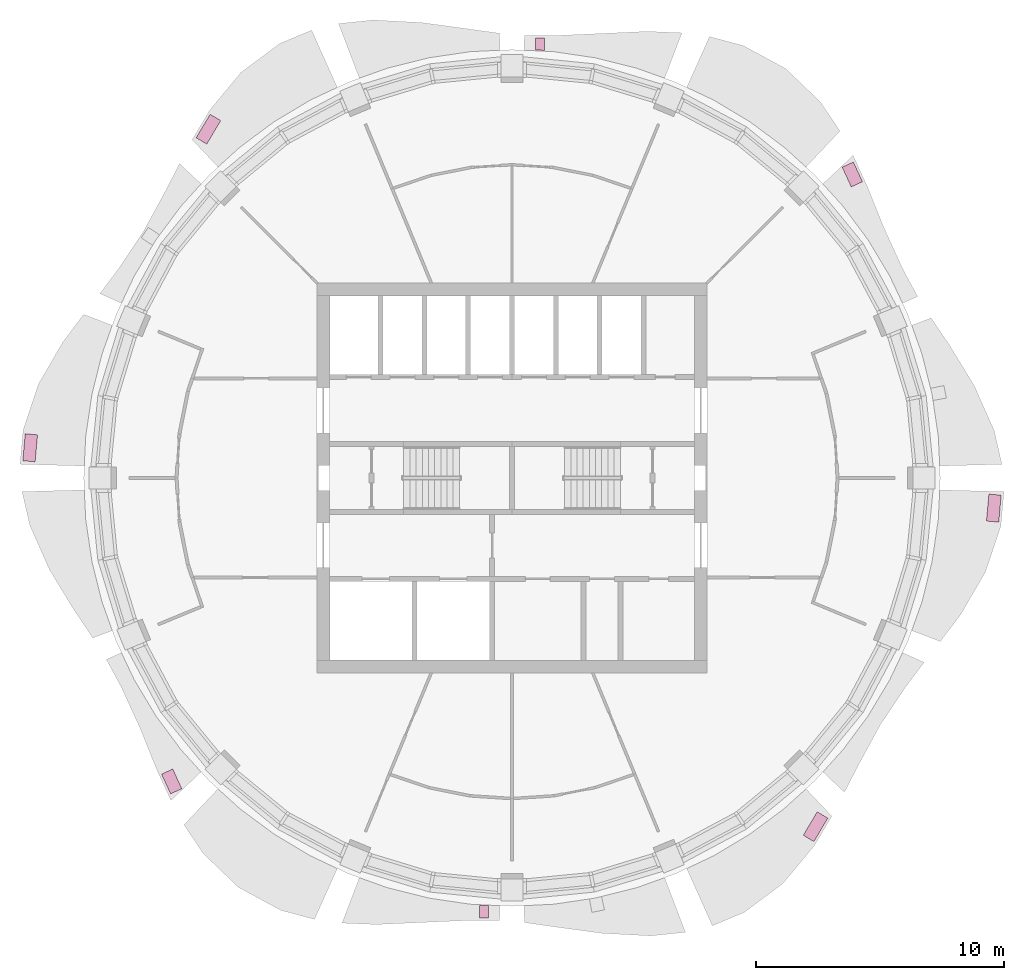
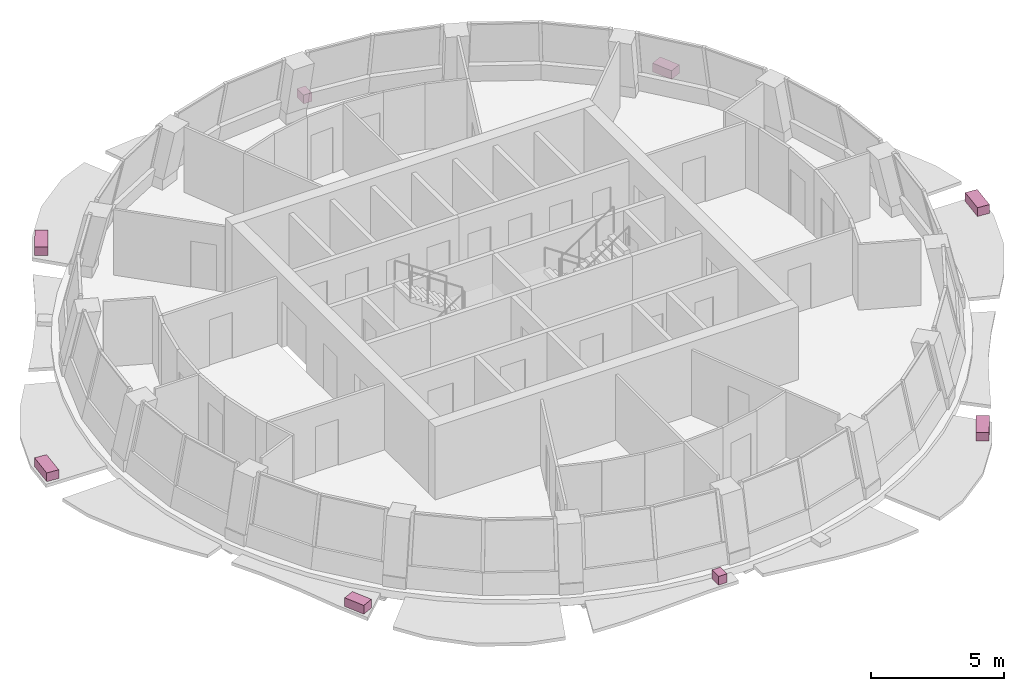
# One storey, part 11 of 11: 8 furniture elements.
"""IFC4 building model written with IfcOpenShell, lengths in metres."""

import ifcopenshell
import ifcopenshell.guid

model = None  # the IFC model being written
_history = None  # IfcOwnerHistory: only IFC2X3 demands one
_inside = {}  # id of a spatial element -> (the spatial element, [elements in it])
_under = {}  # id of a project, library or spatial element -> (it, [spatial elements below it])
_declared = {}  # id of a project -> (the project, [libraries it declares])
_typed = {}  # id of a type object -> (the type object, [elements of that type])
_made_of = {}  # id of a material, layer set ... -> (it, [elements and type objects made of it])


def new_model(schema):
    """Start an empty IFC model of exactly this schema.

    Asked for "IFC4X3", IfcOpenShell would pick the latest addendum, in which some entities
    have other attributes; the version numbers below select the first issue.
    IFC2X3 requires an IfcOwnerHistory on every rooted entity: one is made here for all.
    """
    global model, _history
    if schema == "IFC4X3":
        model = ifcopenshell.file(schema_version=(4, 3, 0, 0))
    else:
        model = ifcopenshell.file(schema=schema)
    _inside.clear()
    _under.clear()
    _declared.clear()
    _typed.clear()
    _made_of.clear()
    _history = None
    if model.schema == "IFC2X3":
        org = make("IfcOrganization", Name="unknown")
        user = make(
            "IfcPersonAndOrganization",
            ThePerson=make("IfcPerson", FamilyName="unknown"),
            TheOrganization=org,
        )
        app = make(
            "IfcApplication",
            ApplicationDeveloper=org,
            Version="unknown",
            ApplicationFullName="unknown",
            ApplicationIdentifier="unknown",
        )
        _history = make(
            "IfcOwnerHistory",
            OwningUser=user,
            OwningApplication=app,
            ChangeAction="ADDED",
            CreationDate=0,
        )
    return model


def make(cls, **values):
    """One entity of the class cls with the attributes given. An attribute that is None is left unset."""
    return model.create_entity(
        cls, **{name: value for name, value in values.items() if value is not None}
    )


def rooted(cls, **values):
    """An entity with a GlobalId (a new one), such as an element, a storey or a relation."""
    return make(cls, GlobalId=ifcopenshell.guid.new(), OwnerHistory=_history, **values)


def si_unit(unit_type, name, prefix=None):
    """IfcSIUnit, for example si_unit("LENGTHUNIT", "METRE", prefix="MILLI")."""
    return make("IfcSIUnit", UnitType=unit_type, Prefix=prefix, Name=name)


def assignment(units):
    """IfcUnitAssignment: the units of a project."""
    return None if units is None else make("IfcUnitAssignment", Units=units)


def point(xyz):
    """IfcCartesianPoint."""
    return None if xyz is None else make("IfcCartesianPoint", Coordinates=xyz)


def direction(xyz):
    """IfcDirection."""
    return None if xyz is None else make("IfcDirection", DirectionRatios=xyz)


def frame(location, z_axis=None, x_axis=None):
    """IfcAxis2Placement3D, a coordinate frame: its origin and axes. An axis left out is left unset."""
    return make(
        "IfcAxis2Placement3D",
        Location=point(location),
        Axis=direction(z_axis),
        RefDirection=direction(x_axis),
    )


def frame_2d(location, x_axis=None):
    """IfcAxis2Placement2D, a coordinate frame in the plane: its origin and x axis."""
    return make(
        "IfcAxis2Placement2D", Location=point(location), RefDirection=direction(x_axis)
    )


def origin():
    """The frame at (0, 0, 0) with its axes left unset."""
    return frame((0.0, 0.0, 0.0))


def origin_2d():
    """The frame at (0, 0) in the plane with its x axis left unset."""
    return frame_2d((0.0, 0.0))


def place(relative_to, where):
    """IfcLocalPlacement: puts the frame where relative to a parent placement (None: the world)."""
    return make(
        "IfcLocalPlacement", PlacementRelTo=relative_to, RelativePlacement=where
    )


def context(
    kind, dimensions, precision=None, world=None, true_north=None, identifier=None
):
    """IfcGeometricRepresentationContext, for example the 3D "Model" context."""
    return make(
        "IfcGeometricRepresentationContext",
        ContextIdentifier=identifier,
        ContextType=kind,
        CoordinateSpaceDimension=dimensions,
        Precision=precision,
        WorldCoordinateSystem=world,
        TrueNorth=true_north,
    )


def subcontext(parent, identifier, kind, view, scale=None):
    """IfcGeometricRepresentationSubContext, for example "Body" below "Model"."""
    return make(
        "IfcGeometricRepresentationSubContext",
        ContextIdentifier=identifier,
        ContextType=kind,
        ParentContext=parent,
        TargetScale=scale,
        TargetView=view,
    )


def project(units=None, contexts=None):
    """IfcProject with its units and contexts."""
    return rooted(
        "IfcProject",
        Name="project",
        RepresentationContexts=contexts,
        UnitsInContext=assignment(units),
    )


def spatial(cls, under=None, at=None, **own):
    """A site, building, storey or space (cls), placed at a placement, below another one or the project."""
    s = rooted(cls, ObjectPlacement=at, **own)
    if under is not None:
        _under.setdefault(under.id(), (under, []))[1].append(s)
    return s


def profile(cls, at=None, kind="AREA", **sizes):
    """A parametric profile (cls). Its sizes go by their IFC names, for example OverallWidth=200.0."""
    return make(cls, ProfileType=kind, Position=at, **sizes)


def rectangle(**sizes):
    """IfcRectangleProfileDef."""
    return profile("IfcRectangleProfileDef", **sizes)


def extrude(swept, where, along, depth):
    """IfcExtrudedAreaSolid: the profile swept, set in the frame where, extruded along a direction by depth."""
    return make(
        "IfcExtrudedAreaSolid",
        SweptArea=swept,
        Position=where,
        ExtrudedDirection=direction(along),
        Depth=depth,
    )


def shape(context_of_items, identifier, shape_type, items):
    """IfcShapeRepresentation: the items that make up one representation, for example the "Body"."""
    return make(
        "IfcShapeRepresentation",
        ContextOfItems=context_of_items,
        RepresentationIdentifier=identifier,
        RepresentationType=shape_type,
        Items=items,
    )


def material(Name=None, Category=None):
    """IfcMaterial."""
    return make("IfcMaterial", Name=Name, Category=Category)


def made_of(thing, what):
    """Note that an element or type object is made of a material, layer set ...; save() writes the relation."""
    if what is not None:
        _made_of.setdefault(what.id(), (what, []))[1].append(thing)
    return thing


def type_object(cls, material=None, **own):
    """A type object (cls), such as IfcWallType, which elements share."""
    return made_of(rooted(cls, **own), material)


def element(
    cls,
    number,
    at=None,
    inside=None,
    cuts=None,
    type_object=None,
    material=None,
    context=None,
    identifier="Body",
    shape_type=None,
    held_by="IfcProductDefinitionShape",
    body=None,
    shapes=None,
    **own,
):
    """One element of the class cls, such as IfcWall. Its Tag is "e" and its number.

    at: its placement. inside: the storey or other place that contains it. cuts: it is an
    opening in that element (IfcRelVoidsElement). A single representation is given by context,
    identifier, shape_type and body (its items); several are given by shapes. held_by: the class
    of the entity that holds the representations. save() writes the other relations.
    """
    e = rooted(cls, Tag="e%d" % number, ObjectPlacement=at, **own)
    if body is not None:
        shapes = [shape(context, identifier, shape_type, body)]
    if shapes is not None:
        e.Representation = make(held_by, Representations=shapes)
    if inside is not None:
        _inside.setdefault(inside.id(), (inside, []))[1].append(e)
    if cuts is not None:
        rooted(
            "IfcRelVoidsElement", RelatingBuildingElement=cuts, RelatedOpeningElement=e
        )
    if type_object is not None:
        _typed.setdefault(type_object.id(), (type_object, []))[1].append(e)
    return made_of(e, material)


def aggregate(whole, parts):
    """IfcRelAggregates: a whole, such as a stair, and the parts it consists of."""
    return rooted("IfcRelAggregates", RelatingObject=whole, RelatedObjects=parts)


def save(model, path):
    """Write the relations noted so far, then the file.

    IfcRelAggregates (storeys below a building ...), IfcRelContainedInSpatialStructure (elements
    in a storey), IfcRelDefinesByType, IfcRelAssociatesMaterial and IfcRelDeclares: one each for
    every whole, place, type object, material and project.
    """
    for whole, parts in _under.values():
        aggregate(whole, parts)
    for where, things in _inside.values():
        rooted(
            "IfcRelContainedInSpatialStructure",
            RelatedElements=things,
            RelatingStructure=where,
        )
    for kind, things in _typed.values():
        rooted("IfcRelDefinesByType", RelatedObjects=things, RelatingType=kind)
    for what, things in _made_of.values():
        rooted("IfcRelAssociatesMaterial", RelatedObjects=things, RelatingMaterial=what)
    for by, libraries in _declared.values():
        rooted("IfcRelDeclares", RelatingContext=by, RelatedDefinitions=libraries)
    model.write(path)


model = new_model("IFC4")

# Units and contexts
model_context = context("Model", 3, precision=1e-05, world=origin(), true_north=direction((0.0, 1.0)))
body_context = subcontext(model_context, "Body", "Model", "MODEL_VIEW")
ifc_project = project(units=[si_unit("LENGTHUNIT", "METRE"), si_unit("AREAUNIT", "SQUARE_METRE"), si_unit("VOLUMEUNIT", "CUBIC_METRE"), si_unit("PLANEANGLEUNIT", "RADIAN"), si_unit("MASSUNIT", "GRAM", prefix="KILO")], contexts=[model_context])

# Site, building, storey
site_placement = place(None, origin())
site = spatial("IfcSite", under=ifc_project, at=site_placement, CompositionType="ELEMENT")
building_placement = place(site_placement, origin())
building = spatial("IfcBuilding", under=site, at=building_placement, Name="Polderwave Tower", CompositionType="ELEMENT")
storey_placement = place(building_placement, frame((0.0, 0.0, 204.39990234375)))
storey = spatial("IfcBuildingStorey", under=building, at=storey_placement, Name="L55", CompositionType="ELEMENT", Elevation=204.39990234375)

# Furniture
ifc_material = material(Name="Terracotta", Category="masonry")
furniture_type = type_object("IfcFurnitureType", Name="Terracotta planting trough", AssemblyPlace="NOTDEFINED", PredefinedType="USERDEFINED", material=ifc_material)
furniture_1_placement = place(storey_placement, frame((13.74609375, 12.2578125, -0.199951171875), z_axis=(0.0, 0.0, 1.0), x_axis=(-0.416277618425, 0.909237562136, 0.0)))
element("IfcFurniture", 1, at=furniture_1_placement, inside=storey, type_object=furniture_type, Name="Planting trough L55 2", ObjectType="PLANTER", PredefinedType="USERDEFINED", context=body_context, shape_type="SweptSolid", body=[
    extrude(rectangle(XDim=0.877197265625, YDim=0.5, at=origin_2d()), origin(), (0.0, 0.0, 1.0), 0.39990234375),
])
furniture_2_placement = place(storey_placement, frame((1.127197265625, 17.525390625, -0.199951171875), z_axis=(0.0, 0.0, 1.0), x_axis=(-0.999980304696, 0.006276162786, 0.0)))
element("IfcFurniture", 2, at=furniture_2_placement, inside=storey, type_object=furniture_type, Name="Planting trough L55 4", ObjectType="PLANTER", PredefinedType="USERDEFINED", context=body_context, shape_type="SweptSolid", body=[
    extrude(rectangle(XDim=0.361328125, YDim=0.5, at=origin_2d()), origin(), (0.0, 0.0, 1.0), 0.39990234375),
])
furniture_3_placement = place(storey_placement, frame((-12.26025390625, 14.08642578125, -0.199951171875), z_axis=(0.0, 0.0, 1.0), x_axis=(-0.510700485496, -0.859758695282, 0.0)))
element("IfcFurniture", 3, at=furniture_3_placement, inside=storey, type_object=furniture_type, Name="Planting trough L55 6", ObjectType="PLANTER", PredefinedType="USERDEFINED", context=body_context, shape_type="SweptSolid", body=[
    extrude(rectangle(XDim=1.104248046875, YDim=0.5, at=origin_2d()), origin(), (0.0, 0.0, 1.0), 0.39990234375),
])
furniture_4_placement = place(storey_placement, frame((-19.460693359375, 1.21826171875, -0.199951171875), z_axis=(0.0, 0.0, 1.0), x_axis=(-0.089892104945, -0.995951509597, 0.0)))
element("IfcFurniture", 4, at=furniture_4_placement, inside=storey, type_object=furniture_type, Name="Planting trough L55 8", ObjectType="PLANTER", PredefinedType="USERDEFINED", context=body_context, shape_type="SweptSolid", body=[
    extrude(rectangle(XDim=1.095947265625, YDim=0.5, at=origin_2d()), origin(), (0.0, 0.0, 1.0), 0.39990234375),
])
furniture_5_placement = place(storey_placement, frame((-13.74609375, -12.2578125, -0.199951171875), z_axis=(0.0, 0.0, 1.0), x_axis=(0.416277618425, -0.909237562136, 0.0)))
element("IfcFurniture", 5, at=furniture_5_placement, inside=storey, type_object=furniture_type, Name="Planting trough L55 10", ObjectType="PLANTER", PredefinedType="USERDEFINED", context=body_context, shape_type="SweptSolid", body=[
    extrude(rectangle(XDim=0.877197265625, YDim=0.5, at=origin_2d()), origin(), (0.0, 0.0, 1.0), 0.39990234375),
])
furniture_6_placement = place(storey_placement, frame((-1.127197265625, -17.525390625, -0.199951171875), z_axis=(0.0, 0.0, 1.0), x_axis=(0.999980304696, -0.006276162786, 0.0)))
element("IfcFurniture", 6, at=furniture_6_placement, inside=storey, type_object=furniture_type, Name="Planting trough L55 12", ObjectType="PLANTER", PredefinedType="USERDEFINED", context=body_context, shape_type="SweptSolid", body=[
    extrude(rectangle(XDim=0.361328125, YDim=0.5, at=origin_2d()), origin(), (0.0, 0.0, 1.0), 0.39990234375),
])
furniture_7_placement = place(storey_placement, frame((12.26025390625, -14.08642578125, -0.199951171875), z_axis=(0.0, 0.0, 1.0), x_axis=(0.510700485496, 0.859758695282, 0.0)))
element("IfcFurniture", 7, at=furniture_7_placement, inside=storey, type_object=furniture_type, Name="Planting trough L55 14", ObjectType="PLANTER", PredefinedType="USERDEFINED", context=body_context, shape_type="SweptSolid", body=[
    extrude(rectangle(XDim=1.104248046875, YDim=0.5, at=origin_2d()), origin(), (0.0, 0.0, 1.0), 0.39990234375),
])
furniture_8_placement = place(storey_placement, frame((19.460693359375, -1.21826171875, -0.199951171875), z_axis=(0.0, 0.0, 1.0), x_axis=(0.089892104945, 0.995951509597, 0.0)))
element("IfcFurniture", 8, at=furniture_8_placement, inside=storey, type_object=furniture_type, Name="Planting trough L55 16", ObjectType="PLANTER", PredefinedType="USERDEFINED", context=body_context, shape_type="SweptSolid", body=[
    extrude(rectangle(XDim=1.095947265625, YDim=0.5, at=origin_2d()), origin(), (0.0, 0.0, 1.0), 0.39990234375),
])

save(model, "model.ifc")
